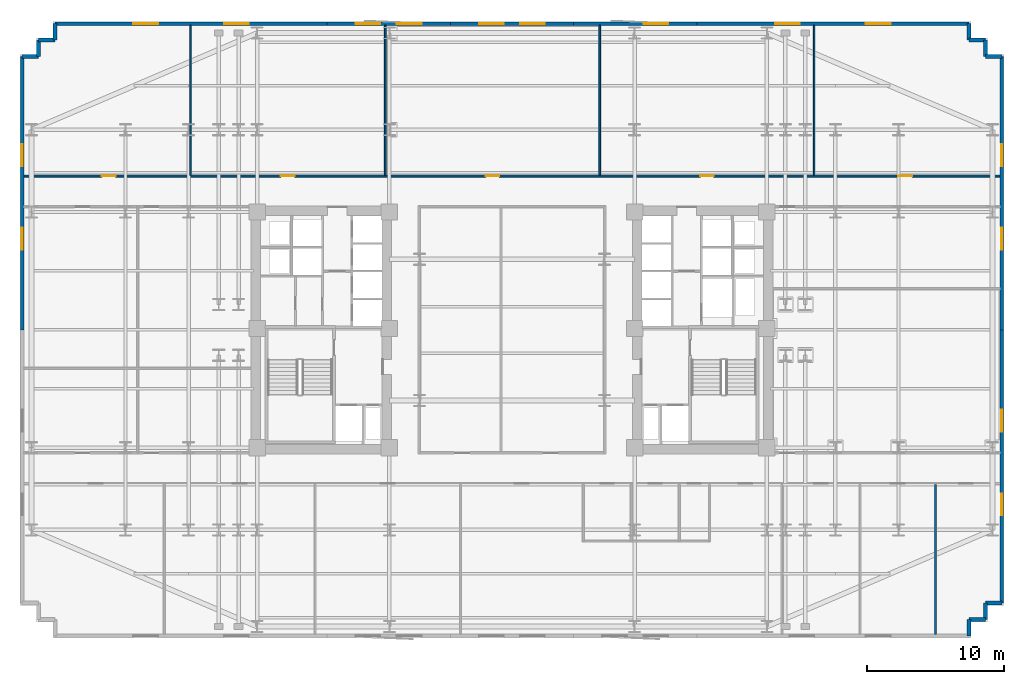
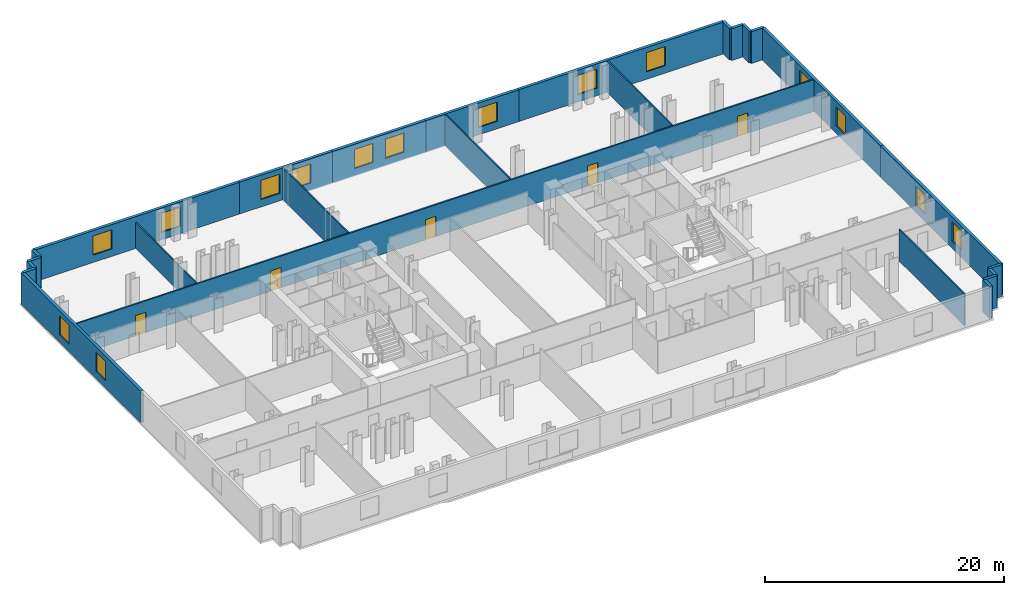
# One storey, part 7 of 10: 26 walls, 15 windows, 5 doors, 20 openings.
"""IFC4 building model written with IfcOpenShell, lengths in metres."""

from ifc_helpers import new_model, si_unit, direction, frame, frame_2d, origin, place, context, subcontext, project, spatial, rectangle, extrude, material, layer, layer_set, type_object, element, fill, save


model = new_model("IFC4")

# Units and contexts
model_context = context("Model", 3, precision=1e-05, world=origin(), true_north=direction((0.0, 1.0)))
body_context = subcontext(model_context, "Body", "Model", "MODEL_VIEW")
ifc_project = project(units=[si_unit("LENGTHUNIT", "METRE"), si_unit("AREAUNIT", "SQUARE_METRE"), si_unit("VOLUMEUNIT", "CUBIC_METRE"), si_unit("PLANEANGLEUNIT", "RADIAN"), si_unit("MASSUNIT", "GRAM", prefix="KILO")], contexts=[model_context])

# Site, building, storey
site_placement = place(None, origin())
site = spatial("IfcSite", under=ifc_project, at=site_placement, CompositionType="ELEMENT")
building_placement = place(site_placement, origin())
building = spatial("IfcBuilding", under=site, at=building_placement, Name="Velakula Bourse", CompositionType="ELEMENT")
storey_placement = place(building_placement, frame((0.0, 0.0, 41.550048828125)))
storey = spatial("IfcBuildingStorey", under=building, at=storey_placement, Name="L10", CompositionType="ELEMENT", Elevation=41.550048828125)

# Wall, openings, windows
ifc_material_1 = material(Name="Red kilned clay facing brick masonry", Category="masonry")
ifc_layer_1 = layer(ifc_material_1, 0.280029296875, Name="Red kilned clay facing brick masonry", Category="masonry")
ifc_layer_set_1 = layer_set([ifc_layer_1], Name="Red kilned clay facing brick masonry")
wall_type_1 = type_object("IfcWallType", Name="WL-EXT-BRK-280", PredefinedType="STANDARD", material=ifc_layer_set_1)
wall_1_placement = place(storey_placement, frame((-33.340087890625, 22.340087890625, 0.0), z_axis=(0.0, 0.0, 1.0), x_axis=(1.0, 0.0, 0.0)))
wall_1 = element("IfcWall", 1, at=wall_1_placement, inside=storey, type_object=wall_type_1, Name="L10 N Brick Spandrel Wall B1", PredefinedType="STANDARD", context=body_context, shape_type="SweptSolid", body=[
    extrude(rectangle(XDim=19.840087890625, YDim=0.280029296875, at=frame_2d((9.919921875, 0.0))), origin(), (0.0, 0.0, 1.0), 3.25),
])
opening_1_placement = place(wall_1_placement, frame((5.71337890625, 0.0, 0.760009765625)))
opening_1 = element("IfcOpeningElement", 2, at=opening_1_placement, cuts=wall_1, Name="Opening W-01", PredefinedType="OPENING", context=body_context, shape_type="SweptSolid", body=[
    extrude(rectangle(XDim=1.800048828125, YDim=1.949951171875, at=frame_2d((0.89990234375, 0.97509765625))), frame((0.0, 0.14990234375, 0.0), z_axis=(0.0, -1.0, 0.0), x_axis=(1.0, 0.0, 0.0)), (0.0, 0.0, 1.0), 0.300048828125),
])
opening_2_placement = place(wall_1_placement, frame((12.32666015625, 0.0, 0.760009765625)))
opening_2 = element("IfcOpeningElement", 3, at=opening_2_placement, cuts=wall_1, Name="Opening W-01", PredefinedType="OPENING", context=body_context, shape_type="SweptSolid", body=[
    extrude(rectangle(XDim=1.800048828125, YDim=1.949951171875, at=frame_2d((0.89990234375, 0.97509765625))), frame((0.0, 0.14990234375, 0.0), z_axis=(0.0, -1.0, 0.0), x_axis=(1.0, 0.0, 0.0)), (0.0, 0.0, 1.0), 0.300048828125),
])
ifc_material_2 = material(Name="Double-glazed solar-control Low-E glass", Category="glass")
window_type_1 = type_object("IfcWindowType", Name="WIN-TWR-1800x2100", PartitioningType="SINGLE_PANEL", PredefinedType="WINDOW", material=ifc_material_2)
window_1_placement = place(opening_1_placement, origin())
window_1 = element("IfcWindow", 4, at=window_1_placement, inside=storey, type_object=window_type_1, Name="L10 Deep-Set Recessed Window 1", OverallHeight=1.949951171875, OverallWidth=1.800048828125, PartitioningType="SINGLE_PANEL", PredefinedType="WINDOW", context=body_context, shape_type="SweptSolid", body=[
    extrude(rectangle(XDim=1.800048828125, YDim=1.949951171875, at=frame_2d((0.89990234375, 0.97509765625))), frame((0.0, 0.030029296875, 0.0), z_axis=(0.0, -1.0, 0.0), x_axis=(1.0, 0.0, 0.0)), (0.0, 0.0, 1.0), 0.06005859375),
])
fill(opening_1, window_1)
window_2_placement = place(opening_2_placement, origin())
window_2 = element("IfcWindow", 5, at=window_2_placement, inside=storey, type_object=window_type_1, Name="L10 Deep-Set Recessed Window 2", OverallHeight=1.949951171875, OverallWidth=1.800048828125, PartitioningType="SINGLE_PANEL", PredefinedType="WINDOW", context=body_context, shape_type="SweptSolid", body=[
    extrude(rectangle(XDim=1.800048828125, YDim=1.949951171875, at=frame_2d((0.89990234375, 0.97509765625))), frame((0.0, 0.030029296875, 0.0), z_axis=(0.0, -1.0, 0.0), x_axis=(1.0, 0.0, 0.0)), (0.0, 0.0, 1.0), 0.06005859375),
])
fill(opening_2, window_2)

wall_2_placement = place(storey_placement, frame((-13.5, 22.340087890625, 0.0), z_axis=(0.0, 0.0, 1.0), x_axis=(1.0, 0.0, 0.0)))
wall_2 = element("IfcWall", 6, at=wall_2_placement, inside=storey, type_object=wall_type_1, Name="L10 N Brick Spandrel Wall B2", PredefinedType="STANDARD", context=body_context, shape_type="SweptSolid", body=[
    extrude(rectangle(XDim=9.0, YDim=0.280029296875, at=frame_2d((4.5, 0.0))), origin(), (0.0, 0.0, 1.0), 3.25),
])
opening_3_placement = place(wall_2_placement, frame((2.10009765625, 0.0, 0.760009765625)))
opening_3 = element("IfcOpeningElement", 7, at=opening_3_placement, cuts=wall_2, Name="Opening W-01", PredefinedType="OPENING", context=body_context, shape_type="SweptSolid", body=[
    extrude(rectangle(XDim=1.800048828125, YDim=1.949951171875, at=frame_2d((0.89990234375, 0.97509765625))), frame((0.0, 0.14990234375, 0.0), z_axis=(0.0, -1.0, 0.0), x_axis=(1.0, 0.0, 0.0)), (0.0, 0.0, 1.0), 0.300048828125),
])
opening_4_placement = place(wall_2_placement, frame((5.10009765625, 0.0, 0.760009765625)))
opening_4 = element("IfcOpeningElement", 8, at=opening_4_placement, cuts=wall_2, Name="Opening W-01", PredefinedType="OPENING", context=body_context, shape_type="SweptSolid", body=[
    extrude(rectangle(XDim=1.800048828125, YDim=1.949951171875, at=frame_2d((0.89990234375, 0.97509765625))), frame((0.0, 0.14990234375, 0.0), z_axis=(0.0, -1.0, 0.0), x_axis=(1.0, 0.0, 0.0)), (0.0, 0.0, 1.0), 0.300048828125),
])
window_3_placement = place(opening_3_placement, origin())
window_3 = element("IfcWindow", 9, at=window_3_placement, inside=storey, type_object=window_type_1, Name="L10 Deep-Set Recessed Window 1", OverallHeight=1.949951171875, OverallWidth=1.800048828125, PartitioningType="SINGLE_PANEL", PredefinedType="WINDOW", context=body_context, shape_type="SweptSolid", body=[
    extrude(rectangle(XDim=1.800048828125, YDim=1.949951171875, at=frame_2d((0.89990234375, 0.97509765625))), frame((0.0, 0.030029296875, 0.0), z_axis=(0.0, -1.0, 0.0), x_axis=(1.0, 0.0, 0.0)), (0.0, 0.0, 1.0), 0.06005859375),
])
fill(opening_3, window_3)
window_4_placement = place(opening_4_placement, origin())
window_4 = element("IfcWindow", 10, at=window_4_placement, inside=storey, type_object=window_type_1, Name="L10 Deep-Set Recessed Window 2", OverallHeight=1.949951171875, OverallWidth=1.800048828125, PartitioningType="SINGLE_PANEL", PredefinedType="WINDOW", context=body_context, shape_type="SweptSolid", body=[
    extrude(rectangle(XDim=1.800048828125, YDim=1.949951171875, at=frame_2d((0.89990234375, 0.97509765625))), frame((0.0, 0.030029296875, 0.0), z_axis=(0.0, -1.0, 0.0), x_axis=(1.0, 0.0, 0.0)), (0.0, 0.0, 1.0), 0.06005859375),
])
fill(opening_4, window_4)

wall_3_placement = place(storey_placement, frame((-4.5, 22.340087890625, 0.0), z_axis=(0.0, 0.0, 1.0), x_axis=(1.0, 0.0, 0.0)))
wall_3 = element("IfcWall", 11, at=wall_3_placement, inside=storey, type_object=wall_type_1, Name="L10 N Brick Spandrel Wall B3", PredefinedType="STANDARD", context=body_context, shape_type="SweptSolid", body=[
    extrude(rectangle(XDim=9.0, YDim=0.280029296875, at=frame_2d((4.5, 0.0))), origin(), (0.0, 0.0, 1.0), 3.25),
])
opening_5_placement = place(wall_3_placement, frame((2.10009765625, 0.0, 0.760009765625)))
opening_5 = element("IfcOpeningElement", 12, at=opening_5_placement, cuts=wall_3, Name="Opening W-01", PredefinedType="OPENING", context=body_context, shape_type="SweptSolid", body=[
    extrude(rectangle(XDim=1.800048828125, YDim=1.949951171875, at=frame_2d((0.89990234375, 0.97509765625))), frame((0.0, 0.14990234375, 0.0), z_axis=(0.0, -1.0, 0.0), x_axis=(1.0, 0.0, 0.0)), (0.0, 0.0, 1.0), 0.300048828125),
])
opening_6_placement = place(wall_3_placement, frame((5.10009765625, 0.0, 0.760009765625)))
opening_6 = element("IfcOpeningElement", 13, at=opening_6_placement, cuts=wall_3, Name="Opening W-01", PredefinedType="OPENING", context=body_context, shape_type="SweptSolid", body=[
    extrude(rectangle(XDim=1.800048828125, YDim=1.949951171875, at=frame_2d((0.89990234375, 0.97509765625))), frame((0.0, 0.14990234375, 0.0), z_axis=(0.0, -1.0, 0.0), x_axis=(1.0, 0.0, 0.0)), (0.0, 0.0, 1.0), 0.300048828125),
])
window_5_placement = place(opening_5_placement, origin())
window_5 = element("IfcWindow", 14, at=window_5_placement, inside=storey, type_object=window_type_1, Name="L10 Deep-Set Recessed Window 1", OverallHeight=1.949951171875, OverallWidth=1.800048828125, PartitioningType="SINGLE_PANEL", PredefinedType="WINDOW", context=body_context, shape_type="SweptSolid", body=[
    extrude(rectangle(XDim=1.800048828125, YDim=1.949951171875, at=frame_2d((0.89990234375, 0.97509765625))), frame((0.0, 0.030029296875, 0.0), z_axis=(0.0, -1.0, 0.0), x_axis=(1.0, 0.0, 0.0)), (0.0, 0.0, 1.0), 0.06005859375),
])
fill(opening_5, window_5)
window_6_placement = place(opening_6_placement, origin())
window_6 = element("IfcWindow", 15, at=window_6_placement, inside=storey, type_object=window_type_1, Name="L10 Deep-Set Recessed Window 2", OverallHeight=1.949951171875, OverallWidth=1.800048828125, PartitioningType="SINGLE_PANEL", PredefinedType="WINDOW", context=body_context, shape_type="SweptSolid", body=[
    extrude(rectangle(XDim=1.800048828125, YDim=1.949951171875, at=frame_2d((0.89990234375, 0.97509765625))), frame((0.0, 0.030029296875, 0.0), z_axis=(0.0, -1.0, 0.0), x_axis=(1.0, 0.0, 0.0)), (0.0, 0.0, 1.0), 0.06005859375),
])
fill(opening_6, window_6)

# Wall, opening, window
wall_4_placement = place(storey_placement, frame((4.5, 22.340087890625, 0.0), z_axis=(0.0, 0.0, 1.0), x_axis=(1.0, 0.0, 0.0)))
wall_4 = element("IfcWall", 16, at=wall_4_placement, inside=storey, type_object=wall_type_1, Name="L10 N Brick Spandrel Wall B4", PredefinedType="STANDARD", context=body_context, shape_type="SweptSolid", body=[
    extrude(rectangle(XDim=9.0, YDim=0.280029296875, at=frame_2d((4.5, 0.0))), origin(), (0.0, 0.0, 1.0), 3.25),
])
opening_7_placement = place(wall_4_placement, frame((5.10009765625, 0.0, 0.760009765625)))
opening_7 = element("IfcOpeningElement", 17, at=opening_7_placement, cuts=wall_4, Name="Opening W-01", PredefinedType="OPENING", context=body_context, shape_type="SweptSolid", body=[
    extrude(rectangle(XDim=1.800048828125, YDim=1.949951171875, at=frame_2d((0.89990234375, 0.97509765625))), frame((0.0, 0.14990234375, 0.0), z_axis=(0.0, -1.0, 0.0), x_axis=(1.0, 0.0, 0.0)), (0.0, 0.0, 1.0), 0.300048828125),
])
window_7_placement = place(opening_7_placement, origin())
window_7 = element("IfcWindow", 18, at=window_7_placement, inside=storey, type_object=window_type_1, Name="L10 Deep-Set Recessed Window 1", OverallHeight=1.949951171875, OverallWidth=1.800048828125, PartitioningType="SINGLE_PANEL", PredefinedType="WINDOW", context=body_context, shape_type="SweptSolid", body=[
    extrude(rectangle(XDim=1.800048828125, YDim=1.949951171875, at=frame_2d((0.89990234375, 0.97509765625))), frame((0.0, 0.030029296875, 0.0), z_axis=(0.0, -1.0, 0.0), x_axis=(1.0, 0.0, 0.0)), (0.0, 0.0, 1.0), 0.06005859375),
])
fill(opening_7, window_7)

# Wall, openings, windows
wall_5_placement = place(storey_placement, frame((13.5, 22.340087890625, 0.0), z_axis=(0.0, 0.0, 1.0), x_axis=(1.0, 0.0, 0.0)))
wall_5 = element("IfcWall", 19, at=wall_5_placement, inside=storey, type_object=wall_type_1, Name="L10 N Brick Spandrel Wall B5", PredefinedType="STANDARD", context=body_context, shape_type="SweptSolid", body=[
    extrude(rectangle(XDim=19.840087890625, YDim=0.280029296875, at=frame_2d((9.919921875, 0.0))), origin(), (0.0, 0.0, 1.0), 3.25),
])
opening_8_placement = place(wall_5_placement, frame((5.71337890625, 0.0, 0.760009765625)))
opening_8 = element("IfcOpeningElement", 20, at=opening_8_placement, cuts=wall_5, Name="Opening W-01", PredefinedType="OPENING", context=body_context, shape_type="SweptSolid", body=[
    extrude(rectangle(XDim=1.800048828125, YDim=1.949951171875, at=frame_2d((0.89990234375, 0.97509765625))), frame((0.0, 0.14990234375, 0.0), z_axis=(0.0, -1.0, 0.0), x_axis=(1.0, 0.0, 0.0)), (0.0, 0.0, 1.0), 0.300048828125),
])
opening_9_placement = place(wall_5_placement, frame((12.32666015625, 0.0, 0.760009765625)))
opening_9 = element("IfcOpeningElement", 21, at=opening_9_placement, cuts=wall_5, Name="Opening W-01", PredefinedType="OPENING", context=body_context, shape_type="SweptSolid", body=[
    extrude(rectangle(XDim=1.800048828125, YDim=1.949951171875, at=frame_2d((0.89990234375, 0.97509765625))), frame((0.0, 0.14990234375, 0.0), z_axis=(0.0, -1.0, 0.0), x_axis=(1.0, 0.0, 0.0)), (0.0, 0.0, 1.0), 0.300048828125),
])
window_8_placement = place(opening_8_placement, origin())
window_8 = element("IfcWindow", 22, at=window_8_placement, inside=storey, type_object=window_type_1, Name="L10 Deep-Set Recessed Window 1", OverallHeight=1.949951171875, OverallWidth=1.800048828125, PartitioningType="SINGLE_PANEL", PredefinedType="WINDOW", context=body_context, shape_type="SweptSolid", body=[
    extrude(rectangle(XDim=1.800048828125, YDim=1.949951171875, at=frame_2d((0.89990234375, 0.97509765625))), frame((0.0, 0.030029296875, 0.0), z_axis=(0.0, -1.0, 0.0), x_axis=(1.0, 0.0, 0.0)), (0.0, 0.0, 1.0), 0.06005859375),
])
fill(opening_8, window_8)
window_9_placement = place(opening_9_placement, origin())
window_9 = element("IfcWindow", 23, at=window_9_placement, inside=storey, type_object=window_type_1, Name="L10 Deep-Set Recessed Window 2", OverallHeight=1.949951171875, OverallWidth=1.800048828125, PartitioningType="SINGLE_PANEL", PredefinedType="WINDOW", context=body_context, shape_type="SweptSolid", body=[
    extrude(rectangle(XDim=1.800048828125, YDim=1.949951171875, at=frame_2d((0.89990234375, 0.97509765625))), frame((0.0, 0.030029296875, 0.0), z_axis=(0.0, -1.0, 0.0), x_axis=(1.0, 0.0, 0.0)), (0.0, 0.0, 1.0), 0.06005859375),
])
fill(opening_9, window_9)

wall_6_placement = place(storey_placement, frame((-35.739990234375, 0.0, 0.0), z_axis=(0.0, 0.0, 1.0), x_axis=(0.0, 1.0, 0.0)))
wall_6 = element("IfcWall", 24, at=wall_6_placement, inside=storey, type_object=wall_type_1, Name="L10 W Brick End Wall W2", PredefinedType="STANDARD", context=body_context, shape_type="SweptSolid", body=[
    extrude(rectangle(XDim=19.93994140625, YDim=0.280029296875, at=frame_2d((9.969970703125, 0.0))), origin(), (0.0, 0.0, 1.0), 3.25),
])
opening_10_placement = place(wall_6_placement, frame((5.8466796875, 0.0, 0.760009765625)))
opening_10 = element("IfcOpeningElement", 25, at=opening_10_placement, cuts=wall_6, Name="Opening W-02", PredefinedType="OPENING", context=body_context, shape_type="SweptSolid", body=[
    extrude(rectangle(XDim=1.60009765625, YDim=1.949951171875, at=frame_2d((0.800048828125, 0.97509765625))), frame((0.0, 0.14990234375, 0.0), z_axis=(0.0, -1.0, 0.0), x_axis=(1.0, 0.0, 0.0)), (0.0, 0.0, 1.0), 0.300048828125),
])
opening_11_placement = place(wall_6_placement, frame((11.943359375, 0.0, 0.760009765625)))
opening_11 = element("IfcOpeningElement", 26, at=opening_11_placement, cuts=wall_6, Name="Opening W-02", PredefinedType="OPENING", context=body_context, shape_type="SweptSolid", body=[
    extrude(rectangle(XDim=1.60009765625, YDim=1.949951171875, at=frame_2d((0.800048828125, 0.97509765625))), frame((0.0, 0.14990234375, 0.0), z_axis=(0.0, -1.0, 0.0), x_axis=(1.0, 0.0, 0.0)), (0.0, 0.0, 1.0), 0.300048828125),
])
window_type_2 = type_object("IfcWindowType", Name="WIN-TWR-1600x2100", PartitioningType="SINGLE_PANEL", PredefinedType="WINDOW", material=ifc_material_2)
window_10_placement = place(opening_10_placement, origin())
window_10 = element("IfcWindow", 27, at=window_10_placement, inside=storey, type_object=window_type_2, Name="L10 Deep-Set Recessed Window 1", OverallHeight=1.949951171875, OverallWidth=1.60009765625, PartitioningType="SINGLE_PANEL", PredefinedType="WINDOW", context=body_context, shape_type="SweptSolid", body=[
    extrude(rectangle(XDim=1.60009765625, YDim=1.949951171875, at=frame_2d((0.800048828125, 0.97509765625))), frame((0.0, 0.030029296875, 0.0), z_axis=(0.0, -1.0, 0.0), x_axis=(1.0, 0.0, 0.0)), (0.0, 0.0, 1.0), 0.06005859375),
])
fill(opening_10, window_10)
window_11_placement = place(opening_11_placement, origin())
window_11 = element("IfcWindow", 28, at=window_11_placement, inside=storey, type_object=window_type_2, Name="L10 Deep-Set Recessed Window 2", OverallHeight=1.949951171875, OverallWidth=1.60009765625, PartitioningType="SINGLE_PANEL", PredefinedType="WINDOW", context=body_context, shape_type="SweptSolid", body=[
    extrude(rectangle(XDim=1.60009765625, YDim=1.949951171875, at=frame_2d((0.800048828125, 0.97509765625))), frame((0.0, 0.030029296875, 0.0), z_axis=(0.0, -1.0, 0.0), x_axis=(1.0, 0.0, 0.0)), (0.0, 0.0, 1.0), 0.06005859375),
])
fill(opening_11, window_11)

wall_7_placement = place(storey_placement, frame((35.739990234375, 0.0, 0.0), z_axis=(0.0, 0.0, 1.0), x_axis=(0.0, -1.0, 0.0)))
wall_7 = element("IfcWall", 29, at=wall_7_placement, inside=storey, type_object=wall_type_1, Name="L10 E Brick End Wall W1", PredefinedType="STANDARD", context=body_context, shape_type="SweptSolid", body=[
    extrude(rectangle(XDim=19.93994140625, YDim=0.280029296875, at=frame_2d((9.969970703125, 0.0))), origin(), (0.0, 0.0, 1.0), 3.25),
])
opening_12_placement = place(wall_7_placement, frame((5.8466796875, 0.0, 0.760009765625)))
opening_12 = element("IfcOpeningElement", 30, at=opening_12_placement, cuts=wall_7, Name="Opening W-02", PredefinedType="OPENING", context=body_context, shape_type="SweptSolid", body=[
    extrude(rectangle(XDim=1.60009765625, YDim=1.949951171875, at=frame_2d((0.800048828125, 0.97509765625))), frame((0.0, 0.14990234375, 0.0), z_axis=(0.0, -1.0, 0.0), x_axis=(1.0, 0.0, 0.0)), (0.0, 0.0, 1.0), 0.300048828125),
])
opening_13_placement = place(wall_7_placement, frame((11.943359375, 0.0, 0.760009765625)))
opening_13 = element("IfcOpeningElement", 31, at=opening_13_placement, cuts=wall_7, Name="Opening W-02", PredefinedType="OPENING", context=body_context, shape_type="SweptSolid", body=[
    extrude(rectangle(XDim=1.60009765625, YDim=1.949951171875, at=frame_2d((0.800048828125, 0.97509765625))), frame((0.0, 0.14990234375, 0.0), z_axis=(0.0, -1.0, 0.0), x_axis=(1.0, 0.0, 0.0)), (0.0, 0.0, 1.0), 0.300048828125),
])
window_12_placement = place(opening_12_placement, origin())
window_12 = element("IfcWindow", 32, at=window_12_placement, inside=storey, type_object=window_type_2, Name="L10 Deep-Set Recessed Window 1", OverallHeight=1.949951171875, OverallWidth=1.60009765625, PartitioningType="SINGLE_PANEL", PredefinedType="WINDOW", context=body_context, shape_type="SweptSolid", body=[
    extrude(rectangle(XDim=1.60009765625, YDim=1.949951171875, at=frame_2d((0.800048828125, 0.97509765625))), frame((0.0, 0.030029296875, 0.0), z_axis=(0.0, -1.0, 0.0), x_axis=(1.0, 0.0, 0.0)), (0.0, 0.0, 1.0), 0.06005859375),
])
fill(opening_12, window_12)
window_13_placement = place(opening_13_placement, origin())
window_13 = element("IfcWindow", 33, at=window_13_placement, inside=storey, type_object=window_type_2, Name="L10 Deep-Set Recessed Window 2", OverallHeight=1.949951171875, OverallWidth=1.60009765625, PartitioningType="SINGLE_PANEL", PredefinedType="WINDOW", context=body_context, shape_type="SweptSolid", body=[
    extrude(rectangle(XDim=1.60009765625, YDim=1.949951171875, at=frame_2d((0.800048828125, 0.97509765625))), frame((0.0, 0.030029296875, 0.0), z_axis=(0.0, -1.0, 0.0), x_axis=(1.0, 0.0, 0.0)), (0.0, 0.0, 1.0), 0.06005859375),
])
fill(opening_13, window_13)

wall_8_placement = place(storey_placement, frame((35.739990234375, 19.93994140625, 0.0), z_axis=(0.0, 0.0, 1.0), x_axis=(0.0, -1.0, 0.0)))
wall_8 = element("IfcWall", 34, at=wall_8_placement, inside=storey, type_object=wall_type_1, Name="L10 E Brick End Wall W2", PredefinedType="STANDARD", context=body_context, shape_type="SweptSolid", body=[
    extrude(rectangle(XDim=19.93994140625, YDim=0.280029296875, at=frame_2d((9.969970703125, 0.0))), origin(), (0.0, 0.0, 1.0), 3.25),
])
opening_14_placement = place(wall_8_placement, frame((6.396728515625, 0.0, 0.760009765625)))
opening_14 = element("IfcOpeningElement", 35, at=opening_14_placement, cuts=wall_8, Name="Opening W-02", PredefinedType="OPENING", context=body_context, shape_type="SweptSolid", body=[
    extrude(rectangle(XDim=1.60009765625, YDim=1.949951171875, at=frame_2d((0.800048828125, 0.97509765625))), frame((0.0, 0.14990234375, 0.0), z_axis=(0.0, -1.0, 0.0), x_axis=(1.0, 0.0, 0.0)), (0.0, 0.0, 1.0), 0.300048828125),
])
opening_15_placement = place(wall_8_placement, frame((12.493408203125, 0.0, 0.760009765625)))
opening_15 = element("IfcOpeningElement", 36, at=opening_15_placement, cuts=wall_8, Name="Opening W-02", PredefinedType="OPENING", context=body_context, shape_type="SweptSolid", body=[
    extrude(rectangle(XDim=1.60009765625, YDim=1.949951171875, at=frame_2d((0.800048828125, 0.97509765625))), frame((0.0, 0.14990234375, 0.0), z_axis=(0.0, -1.0, 0.0), x_axis=(1.0, 0.0, 0.0)), (0.0, 0.0, 1.0), 0.300048828125),
])
window_14_placement = place(opening_14_placement, origin())
window_14 = element("IfcWindow", 37, at=window_14_placement, inside=storey, type_object=window_type_2, Name="L10 Deep-Set Recessed Window 1", OverallHeight=1.949951171875, OverallWidth=1.60009765625, PartitioningType="SINGLE_PANEL", PredefinedType="WINDOW", context=body_context, shape_type="SweptSolid", body=[
    extrude(rectangle(XDim=1.60009765625, YDim=1.949951171875, at=frame_2d((0.800048828125, 0.97509765625))), frame((0.0, 0.030029296875, 0.0), z_axis=(0.0, -1.0, 0.0), x_axis=(1.0, 0.0, 0.0)), (0.0, 0.0, 1.0), 0.06005859375),
])
fill(opening_14, window_14)
window_15_placement = place(opening_15_placement, origin())
window_15 = element("IfcWindow", 38, at=window_15_placement, inside=storey, type_object=window_type_2, Name="L10 Deep-Set Recessed Window 2", OverallHeight=1.949951171875, OverallWidth=1.60009765625, PartitioningType="SINGLE_PANEL", PredefinedType="WINDOW", context=body_context, shape_type="SweptSolid", body=[
    extrude(rectangle(XDim=1.60009765625, YDim=1.949951171875, at=frame_2d((0.800048828125, 0.97509765625))), frame((0.0, 0.030029296875, 0.0), z_axis=(0.0, -1.0, 0.0), x_axis=(1.0, 0.0, 0.0)), (0.0, 0.0, 1.0), 0.06005859375),
])
fill(opening_15, window_15)

# Walls
wall_9_placement = place(storey_placement, frame((33.340087890625, -22.340087890625, 0.0), z_axis=(0.0, 0.0, 1.0), x_axis=(0.0, 1.0, 0.0)))
element("IfcWall", 39, at=wall_9_placement, inside=storey, type_object=wall_type_1, Name="L10 Serrated Corner Brick Wall SE-1", PredefinedType="STANDARD", context=body_context, shape_type="SweptSolid", body=[
    extrude(rectangle(XDim=1.2001953125, YDim=0.280029296875, at=frame_2d((0.60009765625, 0.0))), origin(), (0.0, 0.0, 1.0), 3.25),
])
for number, where, z_axis, x_axis, name in (
    (40, (33.340087890625, -21.139892578125, 0.0), (0.0, 0.0, 1.0), (1.0, 0.0, 0.0), "L10 Serrated Corner Brick Wall SE-2"),
    (41, (34.5400390625, -21.139892578125, 0.0), (0.0, 0.0, 1.0), (0.0, 1.0, 0.0), "L10 Serrated Corner Brick Wall SE-3"),
    (42, (34.5400390625, -19.93994140625, 0.0), (0.0, 0.0, 1.0), (1.0, 0.0, 0.0), "L10 Serrated Corner Brick Wall SE-4"),
    (43, (35.739990234375, 19.93994140625, 0.0), (0.0, 0.0, 1.0), (-1.0, 0.0, 0.0), "L10 Serrated Corner Brick Wall NE-1"),
    (44, (34.5400390625, 19.93994140625, 0.0), (0.0, 0.0, 1.0), (0.0, 1.0, 0.0), "L10 Serrated Corner Brick Wall NE-2"),
    (45, (34.5400390625, 21.139892578125, 0.0), (0.0, 0.0, 1.0), (-1.0, 0.0, 0.0), "L10 Serrated Corner Brick Wall NE-3"),
):
    element("IfcWall", number, at=place(storey_placement, frame(where, z_axis=z_axis, x_axis=x_axis)), inside=storey, type_object=wall_type_1, Name=name, PredefinedType="STANDARD", context=body_context, shape_type="SweptSolid", body=[
        extrude(rectangle(XDim=1.199951171875, YDim=0.280029296875, at=frame_2d((0.60009765625, 0.0))), origin(), (0.0, 0.0, 1.0), 3.25),
    ])
for number, where, z_axis, x_axis, name in (
    (46, (33.340087890625, 21.139892578125, 0.0), (0.0, 0.0, 1.0), (0.0, 1.0, 0.0), "L10 Serrated Corner Brick Wall NE-4"),
    (47, (-33.340087890625, 22.340087890625, 0.0), (0.0, 0.0, 1.0), (0.0, -1.0, 0.0), "L10 Serrated Corner Brick Wall NW-1"),
):
    element("IfcWall", number, at=place(storey_placement, frame(where, z_axis=z_axis, x_axis=x_axis)), inside=storey, type_object=wall_type_1, Name=name, PredefinedType="STANDARD", context=body_context, shape_type="SweptSolid", body=[
        extrude(rectangle(XDim=1.2001953125, YDim=0.280029296875, at=frame_2d((0.60009765625, 0.0))), origin(), (0.0, 0.0, 1.0), 3.25),
    ])
for number, where, z_axis, x_axis, name in (
    (48, (-33.340087890625, 21.139892578125, 0.0), (0.0, 0.0, 1.0), (-1.0, 0.0, 0.0), "L10 Serrated Corner Brick Wall NW-2"),
    (49, (-34.5400390625, 21.139892578125, 0.0), (0.0, 0.0, 1.0), (0.0, -1.0, 0.0), "L10 Serrated Corner Brick Wall NW-3"),
    (50, (-34.5400390625, 19.93994140625, 0.0), (0.0, 0.0, 1.0), (-1.0, 0.0, 0.0), "L10 Serrated Corner Brick Wall NW-4"),
):
    element("IfcWall", number, at=place(storey_placement, frame(where, z_axis=z_axis, x_axis=x_axis)), inside=storey, type_object=wall_type_1, Name=name, PredefinedType="STANDARD", context=body_context, shape_type="SweptSolid", body=[
        extrude(rectangle(XDim=1.199951171875, YDim=0.280029296875, at=frame_2d((0.60009765625, 0.0))), origin(), (0.0, 0.0, 1.0), 3.25),
    ])
ifc_material_3 = material(Name="Fire-rated double-layer gypsum drywall partition", Category="gypsum")
ifc_layer_2 = layer(ifc_material_3, 0.1201171875, Name="Fire-rated double-layer gypsum drywall partition", Category="gypsum")
ifc_layer_set_2 = layer_set([ifc_layer_2], Name="Fire-rated double-layer gypsum drywall partition")
wall_type_2 = type_object("IfcWallType", Name="WL-PART-120", PredefinedType="STANDARD", material=ifc_layer_set_2)
wall_10_placement = place(storey_placement, frame((-23.469970703125, 11.2900390625, 0.0), z_axis=(0.0, 0.0, 1.0), x_axis=(0.0, 1.0, 0.0)))
element("IfcWall", 51, at=wall_10_placement, inside=storey, type_object=wall_type_2, Name="L10 Interior Partition WL-INT-L10-N-D1", PredefinedType="STANDARD", context=body_context, shape_type="SweptSolid", body=[
    extrude(rectangle(XDim=10.929931640625, YDim=0.1201171875, at=frame_2d((5.46484375, 0.0))), origin(), (0.0, 0.0, 1.0), 2.64501953125),
])
for number, where, z_axis, x_axis, name in (
    (52, (-9.24609375, 11.2900390625, 0.0), (0.0, 0.0, 1.0), (0.0, 1.0, 0.0), "L10 Interior Partition WL-INT-L10-N-D2"),
    (53, (6.40087890625, 11.2900390625, 0.0), (0.0, 0.0, 1.0), (0.0, 1.0, 0.0), "L10 Interior Partition WL-INT-L10-N-D3"),
    (54, (22.047119140625, 11.2900390625, 0.0), (0.0, 0.0, 1.0), (0.0, 1.0, 0.0), "L10 Interior Partition WL-INT-L10-N-D4"),
    (55, (30.905029296875, -22.219970703125, 0.0), (0.0, 0.0, 1.0), (0.0, 1.0, 0.0), "L10 Interior Partition WL-INT-L10-SR-D10"),
):
    element("IfcWall", number, at=place(storey_placement, frame(where, z_axis=z_axis, x_axis=x_axis)), inside=storey, type_object=wall_type_2, Name=name, PredefinedType="STANDARD", context=body_context, shape_type="SweptSolid", body=[
        extrude(rectangle(XDim=10.929931640625, YDim=0.1201171875, at=frame_2d((5.46484375, 0.0))), origin(), (0.0, 0.0, 1.0), 3.25),
    ])

# Wall, openings, doors
ifc_layer_3 = layer(ifc_material_3, 0.139892578125, Name="Fire-rated double-layer gypsum drywall partition", Category="gypsum")
ifc_layer_set_3 = layer_set([ifc_layer_3], Name="Fire-rated double-layer gypsum drywall partition")
wall_type_3 = type_object("IfcWallType", Name="WL-PART-140", PredefinedType="STANDARD", material=ifc_layer_set_3)
wall_11_placement = place(storey_placement, frame((-35.6201171875, 11.219970703125, 0.0), z_axis=(0.0, 0.0, 1.0), x_axis=(1.0, 0.0, 0.0)))
wall_11 = element("IfcWall", 56, at=wall_11_placement, inside=storey, type_object=wall_type_3, Name="L10 Interior Partition WL-INT-L10-N-CORR", PredefinedType="STANDARD", context=body_context, shape_type="SweptSolid", body=[
    extrude(rectangle(XDim=71.240234375, YDim=0.139892578125, at=frame_2d((35.6201171875, 0.0))), origin(), (0.0, 0.0, 1.0), 3.25),
])
opening_16_placement = place(wall_11_placement, frame((5.700927734375, 0.0, 0.0)))
opening_16 = element("IfcOpeningElement", 57, at=opening_16_placement, cuts=wall_11, Name="Opening D-OF1", PredefinedType="OPENING", context=body_context, shape_type="SweptSolid", body=[
    extrude(rectangle(XDim=1.0, YDim=2.080078125, at=frame_2d((0.5, 1.0400390625))), frame((0.0, 0.079833984375, 0.0), z_axis=(0.0, -1.0, 0.0), x_axis=(1.0, 0.0, 0.0)), (0.0, 0.0, 1.0), 0.159912109375),
])
opening_17_placement = place(wall_11_placement, frame((18.761962890625, 0.0, 0.0)))
opening_17 = element("IfcOpeningElement", 58, at=opening_17_placement, cuts=wall_11, Name="Opening D-OF1", PredefinedType="OPENING", context=body_context, shape_type="SweptSolid", body=[
    extrude(rectangle(XDim=1.0, YDim=2.080078125, at=frame_2d((0.5, 1.0400390625))), frame((0.0, 0.079833984375, 0.0), z_axis=(0.0, -1.0, 0.0), x_axis=(1.0, 0.0, 0.0)), (0.0, 0.0, 1.0), 0.159912109375),
])
opening_18_placement = place(wall_11_placement, frame((33.697509765625, 0.0, 0.0)))
opening_18 = element("IfcOpeningElement", 59, at=opening_18_placement, cuts=wall_11, Name="Opening D-OF1", PredefinedType="OPENING", context=body_context, shape_type="SweptSolid", body=[
    extrude(rectangle(XDim=1.0, YDim=2.080078125, at=frame_2d((0.5, 1.0400390625))), frame((0.0, 0.079833984375, 0.0), z_axis=(0.0, -1.0, 0.0), x_axis=(1.0, 0.0, 0.0)), (0.0, 0.0, 1.0), 0.159912109375),
])
opening_19_placement = place(wall_11_placement, frame((49.343994140625, 0.0, 0.0)))
opening_19 = element("IfcOpeningElement", 60, at=opening_19_placement, cuts=wall_11, Name="Opening D-OF1", PredefinedType="OPENING", context=body_context, shape_type="SweptSolid", body=[
    extrude(rectangle(XDim=1.0, YDim=2.080078125, at=frame_2d((0.5, 1.0400390625))), frame((0.0, 0.079833984375, 0.0), z_axis=(0.0, -1.0, 0.0), x_axis=(1.0, 0.0, 0.0)), (0.0, 0.0, 1.0), 0.159912109375),
])
opening_20_placement = place(wall_11_placement, frame((63.827392578125, 0.0, 0.0)))
opening_20 = element("IfcOpeningElement", 61, at=opening_20_placement, cuts=wall_11, Name="Opening D-OF1", PredefinedType="OPENING", context=body_context, shape_type="SweptSolid", body=[
    extrude(rectangle(XDim=1.0, YDim=2.080078125, at=frame_2d((0.5, 1.0400390625))), frame((0.0, 0.079833984375, 0.0), z_axis=(0.0, -1.0, 0.0), x_axis=(1.0, 0.0, 0.0)), (0.0, 0.0, 1.0), 0.159912109375),
])
ifc_material_4 = material(Name="Fire-rated hardwood flush architectural door", Category="wood")
door_type = type_object("IfcDoorType", Name="DR-OFF-1000", OperationType="NOTDEFINED", PredefinedType="DOOR", material=ifc_material_4)
door_1_placement = place(opening_16_placement, origin())
door_1 = element("IfcDoor", 62, at=door_1_placement, inside=storey, type_object=door_type, Name="L10 Derivatives Dealing Workspace Door", OperationType="SINGLE_SWING_LEFT", OverallHeight=2.080078125, OverallWidth=1.0, PredefinedType="DOOR", context=body_context, shape_type="SweptSolid", body=[
    extrude(rectangle(XDim=1.0, YDim=2.080078125, at=frame_2d((0.5, 1.0400390625))), frame((0.0, 0.02490234375, 0.0), z_axis=(0.0, -1.0, 0.0), x_axis=(1.0, 0.0, 0.0)), (0.0, 0.0, 1.0), 0.050048828125),
])
fill(opening_16, door_1)
door_2_placement = place(opening_17_placement, origin())
door_2 = element("IfcDoor", 63, at=door_2_placement, inside=storey, type_object=door_type, Name="L10 Risk Review Boardroom Door", OperationType="SINGLE_SWING_RIGHT", OverallHeight=2.080078125, OverallWidth=1.0, PredefinedType="DOOR", context=body_context, shape_type="SweptSolid", body=[
    extrude(rectangle(XDim=1.0, YDim=2.080078125, at=frame_2d((0.5, 1.0400390625))), frame((0.0, 0.02490234375, 0.0), z_axis=(0.0, -1.0, 0.0), x_axis=(1.0, 0.0, 0.0)), (0.0, 0.0, 1.0), 0.050048828125),
])
fill(opening_17, door_2)
door_3_placement = place(opening_18_placement, origin())
door_3 = element("IfcDoor", 64, at=door_3_placement, inside=storey, type_object=door_type, Name="L10 Catering Servery Pantry Door", OperationType="SINGLE_SWING_LEFT", OverallHeight=2.080078125, OverallWidth=1.0, PredefinedType="DOOR", context=body_context, shape_type="SweptSolid", body=[
    extrude(rectangle(XDim=1.0, YDim=2.080078125, at=frame_2d((0.5, 1.0400390625))), frame((0.0, 0.02490234375, 0.0), z_axis=(0.0, -1.0, 0.0), x_axis=(1.0, 0.0, 0.0)), (0.0, 0.0, 1.0), 0.050048828125),
])
fill(opening_18, door_3)
door_4_placement = place(opening_19_placement, origin())
door_4 = element("IfcDoor", 65, at=door_4_placement, inside=storey, type_object=door_type, Name="L10 Breakout Dining Lounge Door", OperationType="SINGLE_SWING_RIGHT", OverallHeight=2.080078125, OverallWidth=1.0, PredefinedType="DOOR", context=body_context, shape_type="SweptSolid", body=[
    extrude(rectangle(XDim=1.0, YDim=2.080078125, at=frame_2d((0.5, 1.0400390625))), frame((0.0, 0.02490234375, 0.0), z_axis=(0.0, -1.0, 0.0), x_axis=(1.0, 0.0, 0.0)), (0.0, 0.0, 1.0), 0.050048828125),
])
fill(opening_19, door_4)
door_5_placement = place(opening_20_placement, origin())
door_5 = element("IfcDoor", 66, at=door_5_placement, inside=storey, type_object=door_type, Name="L10 Bullion Assay Office Door", OperationType="SINGLE_SWING_LEFT", OverallHeight=2.080078125, OverallWidth=1.0, PredefinedType="DOOR", context=body_context, shape_type="SweptSolid", body=[
    extrude(rectangle(XDim=1.0, YDim=2.080078125, at=frame_2d((0.5, 1.0400390625))), frame((0.0, 0.02490234375, 0.0), z_axis=(0.0, -1.0, 0.0), x_axis=(1.0, 0.0, 0.0)), (0.0, 0.0, 1.0), 0.050048828125),
])
fill(opening_20, door_5)

save(model, "model.ifc")
